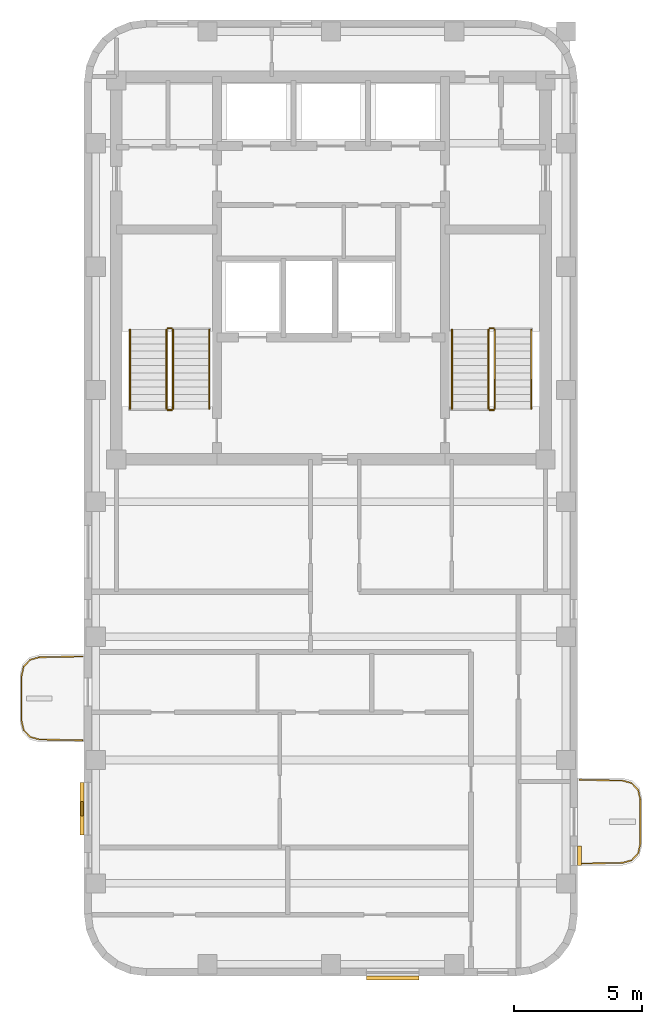
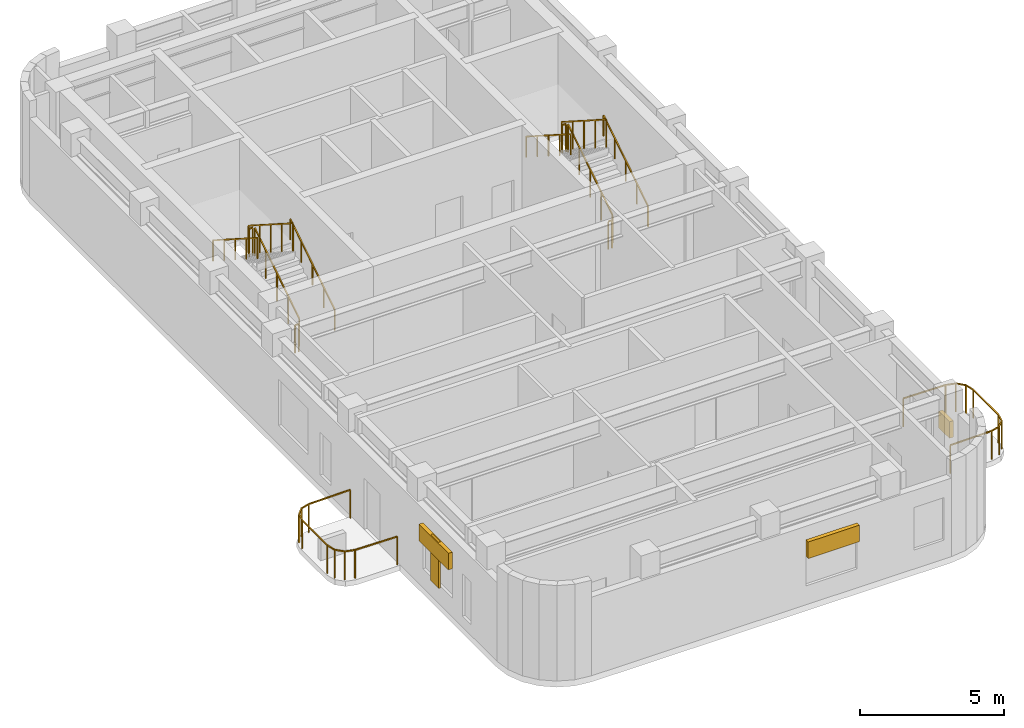
# One storey, part 5 of 5: 14 railings, 4 shading devices.
"""IFC4 building model written with IfcOpenShell, lengths in metres."""

import ifcopenshell
import ifcopenshell.guid

model = None  # the IFC model being written
_history = None  # IfcOwnerHistory: only IFC2X3 demands one
_inside = {}  # id of a spatial element -> (the spatial element, [elements in it])
_under = {}  # id of a project, library or spatial element -> (it, [spatial elements below it])
_declared = {}  # id of a project -> (the project, [libraries it declares])
_typed = {}  # id of a type object -> (the type object, [elements of that type])
_made_of = {}  # id of a material, layer set ... -> (it, [elements and type objects made of it])


def new_model(schema):
    """Start an empty IFC model of exactly this schema.

    Asked for "IFC4X3", IfcOpenShell would pick the latest addendum, in which some entities
    have other attributes; the version numbers below select the first issue.
    IFC2X3 requires an IfcOwnerHistory on every rooted entity: one is made here for all.
    """
    global model, _history
    if schema == "IFC4X3":
        model = ifcopenshell.file(schema_version=(4, 3, 0, 0))
    else:
        model = ifcopenshell.file(schema=schema)
    _inside.clear()
    _under.clear()
    _declared.clear()
    _typed.clear()
    _made_of.clear()
    _history = None
    if model.schema == "IFC2X3":
        org = make("IfcOrganization", Name="unknown")
        user = make(
            "IfcPersonAndOrganization",
            ThePerson=make("IfcPerson", FamilyName="unknown"),
            TheOrganization=org,
        )
        app = make(
            "IfcApplication",
            ApplicationDeveloper=org,
            Version="unknown",
            ApplicationFullName="unknown",
            ApplicationIdentifier="unknown",
        )
        _history = make(
            "IfcOwnerHistory",
            OwningUser=user,
            OwningApplication=app,
            ChangeAction="ADDED",
            CreationDate=0,
        )
    return model


def make(cls, **values):
    """One entity of the class cls with the attributes given. An attribute that is None is left unset."""
    return model.create_entity(
        cls, **{name: value for name, value in values.items() if value is not None}
    )


def rooted(cls, **values):
    """An entity with a GlobalId (a new one), such as an element, a storey or a relation."""
    return make(cls, GlobalId=ifcopenshell.guid.new(), OwnerHistory=_history, **values)


def si_unit(unit_type, name, prefix=None):
    """IfcSIUnit, for example si_unit("LENGTHUNIT", "METRE", prefix="MILLI")."""
    return make("IfcSIUnit", UnitType=unit_type, Prefix=prefix, Name=name)


def assignment(units):
    """IfcUnitAssignment: the units of a project."""
    return None if units is None else make("IfcUnitAssignment", Units=units)


def point(xyz):
    """IfcCartesianPoint."""
    return None if xyz is None else make("IfcCartesianPoint", Coordinates=xyz)


def direction(xyz):
    """IfcDirection."""
    return None if xyz is None else make("IfcDirection", DirectionRatios=xyz)


def frame(location, z_axis=None, x_axis=None):
    """IfcAxis2Placement3D, a coordinate frame: its origin and axes. An axis left out is left unset."""
    return make(
        "IfcAxis2Placement3D",
        Location=point(location),
        Axis=direction(z_axis),
        RefDirection=direction(x_axis),
    )


def frame_2d(location, x_axis=None):
    """IfcAxis2Placement2D, a coordinate frame in the plane: its origin and x axis."""
    return make(
        "IfcAxis2Placement2D", Location=point(location), RefDirection=direction(x_axis)
    )


def origin():
    """The frame at (0, 0, 0) with its axes left unset."""
    return frame((0.0, 0.0, 0.0))


def origin_2d():
    """The frame at (0, 0) in the plane with its x axis left unset."""
    return frame_2d((0.0, 0.0))


def place(relative_to, where):
    """IfcLocalPlacement: puts the frame where relative to a parent placement (None: the world)."""
    return make(
        "IfcLocalPlacement", PlacementRelTo=relative_to, RelativePlacement=where
    )


def context(
    kind, dimensions, precision=None, world=None, true_north=None, identifier=None
):
    """IfcGeometricRepresentationContext, for example the 3D "Model" context."""
    return make(
        "IfcGeometricRepresentationContext",
        ContextIdentifier=identifier,
        ContextType=kind,
        CoordinateSpaceDimension=dimensions,
        Precision=precision,
        WorldCoordinateSystem=world,
        TrueNorth=true_north,
    )


def subcontext(parent, identifier, kind, view, scale=None):
    """IfcGeometricRepresentationSubContext, for example "Body" below "Model"."""
    return make(
        "IfcGeometricRepresentationSubContext",
        ContextIdentifier=identifier,
        ContextType=kind,
        ParentContext=parent,
        TargetScale=scale,
        TargetView=view,
    )


def project(units=None, contexts=None):
    """IfcProject with its units and contexts."""
    return rooted(
        "IfcProject",
        Name="project",
        RepresentationContexts=contexts,
        UnitsInContext=assignment(units),
    )


def spatial(cls, under=None, at=None, **own):
    """A site, building, storey or space (cls), placed at a placement, below another one or the project."""
    s = rooted(cls, ObjectPlacement=at, **own)
    if under is not None:
        _under.setdefault(under.id(), (under, []))[1].append(s)
    return s


def profile(cls, at=None, kind="AREA", **sizes):
    """A parametric profile (cls). Its sizes go by their IFC names, for example OverallWidth=200.0."""
    return make(cls, ProfileType=kind, Position=at, **sizes)


def rectangle(**sizes):
    """IfcRectangleProfileDef."""
    return profile("IfcRectangleProfileDef", **sizes)


def extrude(swept, where, along, depth):
    """IfcExtrudedAreaSolid: the profile swept, set in the frame where, extruded along a direction by depth."""
    return make(
        "IfcExtrudedAreaSolid",
        SweptArea=swept,
        Position=where,
        ExtrudedDirection=direction(along),
        Depth=depth,
    )


def shape(context_of_items, identifier, shape_type, items):
    """IfcShapeRepresentation: the items that make up one representation, for example the "Body"."""
    return make(
        "IfcShapeRepresentation",
        ContextOfItems=context_of_items,
        RepresentationIdentifier=identifier,
        RepresentationType=shape_type,
        Items=items,
    )


def material(Name=None, Category=None):
    """IfcMaterial."""
    return make("IfcMaterial", Name=Name, Category=Category)


def made_of(thing, what):
    """Note that an element or type object is made of a material, layer set ...; save() writes the relation."""
    if what is not None:
        _made_of.setdefault(what.id(), (what, []))[1].append(thing)
    return thing


def type_object(cls, material=None, **own):
    """A type object (cls), such as IfcWallType, which elements share."""
    return made_of(rooted(cls, **own), material)


def element(
    cls,
    number,
    at=None,
    inside=None,
    cuts=None,
    type_object=None,
    material=None,
    context=None,
    identifier="Body",
    shape_type=None,
    held_by="IfcProductDefinitionShape",
    body=None,
    shapes=None,
    **own,
):
    """One element of the class cls, such as IfcWall. Its Tag is "e" and its number.

    at: its placement. inside: the storey or other place that contains it. cuts: it is an
    opening in that element (IfcRelVoidsElement). A single representation is given by context,
    identifier, shape_type and body (its items); several are given by shapes. held_by: the class
    of the entity that holds the representations. save() writes the other relations.
    """
    e = rooted(cls, Tag="e%d" % number, ObjectPlacement=at, **own)
    if body is not None:
        shapes = [shape(context, identifier, shape_type, body)]
    if shapes is not None:
        e.Representation = make(held_by, Representations=shapes)
    if inside is not None:
        _inside.setdefault(inside.id(), (inside, []))[1].append(e)
    if cuts is not None:
        rooted(
            "IfcRelVoidsElement", RelatingBuildingElement=cuts, RelatedOpeningElement=e
        )
    if type_object is not None:
        _typed.setdefault(type_object.id(), (type_object, []))[1].append(e)
    return made_of(e, material)


def aggregate(whole, parts):
    """IfcRelAggregates: a whole, such as a stair, and the parts it consists of."""
    return rooted("IfcRelAggregates", RelatingObject=whole, RelatedObjects=parts)


def save(model, path):
    """Write the relations noted so far, then the file.

    IfcRelAggregates (storeys below a building ...), IfcRelContainedInSpatialStructure (elements
    in a storey), IfcRelDefinesByType, IfcRelAssociatesMaterial and IfcRelDeclares: one each for
    every whole, place, type object, material and project.
    """
    for whole, parts in _under.values():
        aggregate(whole, parts)
    for where, things in _inside.values():
        rooted(
            "IfcRelContainedInSpatialStructure",
            RelatedElements=things,
            RelatingStructure=where,
        )
    for kind, things in _typed.values():
        rooted("IfcRelDefinesByType", RelatedObjects=things, RelatingType=kind)
    for what, things in _made_of.values():
        rooted("IfcRelAssociatesMaterial", RelatedObjects=things, RelatingMaterial=what)
    for by, libraries in _declared.values():
        rooted("IfcRelDeclares", RelatingContext=by, RelatedDefinitions=libraries)
    model.write(path)


model = new_model("IFC4")

# Units and contexts
model_context = context("Model", 3, precision=1e-05, world=origin(), true_north=direction((0.0, 1.0)))
body_context = subcontext(model_context, "Body", "Model", "MODEL_VIEW")
ifc_project = project(units=[si_unit("LENGTHUNIT", "METRE"), si_unit("AREAUNIT", "SQUARE_METRE"), si_unit("VOLUMEUNIT", "CUBIC_METRE"), si_unit("PLANEANGLEUNIT", "RADIAN"), si_unit("MASSUNIT", "GRAM", prefix="KILO")], contexts=[model_context])

# Site, building, storey
site_placement = place(None, origin())
site = spatial("IfcSite", under=ifc_project, at=site_placement, CompositionType="ELEMENT")
building_placement = place(site_placement, origin())
building = spatial("IfcBuilding", under=site, at=building_placement, Name="Orvandelia Arch Residences", CompositionType="ELEMENT")
storey_placement = place(building_placement, frame((0.0, 0.0, 282.800048828125)))
storey = spatial("IfcBuildingStorey", under=building, at=storey_placement, Name="L73", CompositionType="ELEMENT", Elevation=282.800048828125)

# Railings
ifc_material_1 = material(Name="Marine-Grade Stainless Steel 316", Category="steel")
railing_type_1 = type_object("IfcRailingType", Name="GRD-BAL-1200", PredefinedType="BALUSTRADE", material=ifc_material_1)
railing_1_placement = place(storey_placement, frame((4.728271484375, 23.23046875, 0.0)))
element("IfcRailing", 1, at=railing_1_placement, inside=storey, type_object=railing_type_1, Name="Safety Balustrade Guard GRD-L73-BAL-L73-W1-1", PredefinedType="BALUSTRADE", context=body_context, shape_type="SweptSolid", body=[
    extrude(rectangle(XDim=0.048095703125, YDim=0.048095703125, at=origin_2d()), frame((0.0, 0.0, 1.19580078125), z_axis=(-0.999834751713, -0.018178813668, 0.0), x_axis=(0.018178813668, -0.999834751713, 0.0)), (0.0, 0.0, 1.0), 1.6787109375),
    extrude(rectangle(XDim=0.048095703125, YDim=0.048095703125, at=origin_2d()), frame((-1.678466796875, -0.030517578125, 1.19580078125), z_axis=(-0.96348920644, -0.267747173792, 0.0), x_axis=(0.267747173792, -0.96348920644, 0.0)), (0.0, 0.0, 1.0), 0.36572265625),
    extrude(rectangle(XDim=0.048095703125, YDim=0.048095703125, at=origin_2d()), frame((-2.03076171875, -0.12841796875, 1.19580078125), z_axis=(-0.688627404251, -0.725115368831, 0.0), x_axis=(0.725115368831, -0.688627404251, 0.0)), (0.0, 0.0, 1.0), 0.367919921875),
    extrude(rectangle(XDim=0.048095703125, YDim=0.048095703125, at=origin_2d()), frame((-2.2841796875, -0.395263671875, 1.19580078125), z_axis=(-0.220461657419, -0.975395641577, 0.0), x_axis=(0.975395641577, -0.220461657419, 0.0)), (0.0, 0.0, 1.0), 0.373291015625),
    extrude(rectangle(XDim=0.048095703125, YDim=0.048095703125, at=origin_2d()), frame((-2.366455078125, -0.75927734375, 1.19580078125), z_axis=(0.0, -1.0, 0.0), x_axis=(1.0, 0.0, 0.0)), (0.0, 0.0, 1.0), 1.742431640625),
    extrude(rectangle(XDim=0.048095703125, YDim=0.048095703125, at=origin_2d()), frame((-2.366455078125, -2.501708984375, 1.19580078125), z_axis=(0.220602419982, -0.975363815352, 0.0), x_axis=(0.975363815352, 0.220602419982, 0.0)), (0.0, 0.0, 1.0), 0.373046875),
    extrude(rectangle(XDim=0.048095703125, YDim=0.048095703125, at=origin_2d()), frame((-2.2841796875, -2.865478515625, 1.19580078125), z_axis=(0.688296224633, -0.725429739642, 0.0), x_axis=(0.725429739642, 0.688296224633, 0.0)), (0.0, 0.0, 1.0), 0.3681640625),
    extrude(rectangle(XDim=0.048095703125, YDim=0.048095703125, at=origin_2d()), frame((-2.03076171875, -3.132568359375, 1.19580078125), z_axis=(0.96348920644, -0.267747173792, 0.0), x_axis=(0.267747173792, 0.96348920644, 0.0)), (0.0, 0.0, 1.0), 0.36572265625),
    extrude(rectangle(XDim=0.048095703125, YDim=0.048095703125, at=origin_2d()), frame((-1.678466796875, -3.23046875, 1.19580078125), z_axis=(0.999834751713, -0.018178813668, 0.0), x_axis=(0.018178813668, 0.999834751713, 0.0)), (0.0, 0.0, 1.0), 1.6787109375),
    extrude(rectangle(XDim=0.0419921875, YDim=0.0419921875, at=origin_2d()), origin(), (0.0, 0.0, 1.0), 1.171875),
    extrude(rectangle(XDim=0.0419921875, YDim=0.0419921875, at=origin_2d()), frame((-1.678466796875, -0.030517578125, 0.0)), (0.0, 0.0, 1.0), 1.171875),
    extrude(rectangle(XDim=0.0419921875, YDim=0.0419921875, at=origin_2d()), frame((-2.03076171875, -0.12841796875, 0.0)), (0.0, 0.0, 1.0), 1.171875),
    extrude(rectangle(XDim=0.0419921875, YDim=0.0419921875, at=origin_2d()), frame((-2.2841796875, -0.395263671875, 0.0)), (0.0, 0.0, 1.0), 1.171875),
    extrude(rectangle(XDim=0.0419921875, YDim=0.0419921875, at=origin_2d()), frame((-2.366455078125, -0.75927734375, 0.0)), (0.0, 0.0, 1.0), 1.171875),
    extrude(rectangle(XDim=0.0419921875, YDim=0.0419921875, at=origin_2d()), frame((-2.366455078125, -2.501708984375, 0.0)), (0.0, 0.0, 1.0), 1.171875),
    extrude(rectangle(XDim=0.0419921875, YDim=0.0419921875, at=origin_2d()), frame((-2.2841796875, -2.865478515625, 0.0)), (0.0, 0.0, 1.0), 1.171875),
    extrude(rectangle(XDim=0.0419921875, YDim=0.0419921875, at=origin_2d()), frame((-2.03076171875, -3.132568359375, 0.0)), (0.0, 0.0, 1.0), 1.171875),
    extrude(rectangle(XDim=0.0419921875, YDim=0.0419921875, at=origin_2d()), frame((-1.678466796875, -3.23046875, 0.0)), (0.0, 0.0, 1.0), 1.171875),
    extrude(rectangle(XDim=0.0419921875, YDim=0.0419921875, at=origin_2d()), frame((0.0, -3.260986328125, 0.0)), (0.0, 0.0, 1.0), 1.171875),
])
railing_2_placement = place(storey_placement, frame((24.07177734375, 15.169677734375, 0.0)))
element("IfcRailing", 2, at=railing_2_placement, inside=storey, type_object=railing_type_1, Name="Safety Balustrade Guard GRD-L73-BAL-L73-W2-1", PredefinedType="BALUSTRADE", context=body_context, shape_type="SweptSolid", body=[
    extrude(rectangle(XDim=0.048095703125, YDim=0.048095703125, at=origin_2d()), frame((0.0, 0.0, 1.19580078125), z_axis=(0.999837384468, 0.018033430643, 0.0), x_axis=(-0.018033430643, 0.999837384468, 0.0)), (0.0, 0.0, 1.0), 1.6787109375),
    extrude(rectangle(XDim=0.048095703125, YDim=0.048095703125, at=origin_2d()), frame((1.678466796875, 0.0302734375, 1.19580078125), z_axis=(0.96348920644, 0.267747173792, 0.0), x_axis=(-0.267747173792, 0.96348920644, 0.0)), (0.0, 0.0, 1.0), 0.36572265625),
    extrude(rectangle(XDim=0.048095703125, YDim=0.048095703125, at=origin_2d()), frame((2.03076171875, 0.128173828125, 1.19580078125), z_axis=(0.687947031175, 0.725760898848, 0.0), x_axis=(-0.725760898848, 0.687947031175, 0.0)), (0.0, 0.0, 1.0), 0.367919921875),
    extrude(rectangle(XDim=0.048095703125, YDim=0.048095703125, at=origin_2d()), frame((2.283935546875, 0.395263671875, 1.19580078125), z_axis=(0.221225034864, 0.975222786828, 0.0), x_axis=(-0.975222786828, 0.221225034864, 0.0)), (0.0, 0.0, 1.0), 0.373046875),
    extrude(rectangle(XDim=0.048095703125, YDim=0.048095703125, at=origin_2d()), frame((2.366455078125, 0.759033203125, 1.19580078125), z_axis=(0.0, 1.0, 0.0), x_axis=(-1.0, 0.0, 0.0)), (0.0, 0.0, 1.0), 1.74267578125),
    extrude(rectangle(XDim=0.048095703125, YDim=0.048095703125, at=origin_2d()), frame((2.366455078125, 2.501708984375, 1.19580078125), z_axis=(-0.221225034864, 0.975222786828, 0.0), x_axis=(-0.975222786828, -0.221225034864, 0.0)), (0.0, 0.0, 1.0), 0.373046875),
    extrude(rectangle(XDim=0.048095703125, YDim=0.048095703125, at=origin_2d()), frame((2.283935546875, 2.865478515625, 1.19580078125), z_axis=(-0.688278345278, 0.725446703364, 0.0), x_axis=(-0.725446703364, -0.688278345278, 0.0)), (0.0, 0.0, 1.0), 0.367919921875),
    extrude(rectangle(XDim=0.048095703125, YDim=0.048095703125, at=origin_2d()), frame((2.03076171875, 3.13232421875, 1.19580078125), z_axis=(-0.96348920644, 0.267747173792, 0.0), x_axis=(-0.267747173792, -0.96348920644, 0.0)), (0.0, 0.0, 1.0), 0.36572265625),
    extrude(rectangle(XDim=0.048095703125, YDim=0.048095703125, at=origin_2d()), frame((1.678466796875, 3.230224609375, 1.19580078125), z_axis=(-0.999834751713, 0.018178813668, 0.0), x_axis=(-0.018178813668, -0.999834751713, 0.0)), (0.0, 0.0, 1.0), 1.6787109375),
    extrude(rectangle(XDim=0.0419921875, YDim=0.0419921875, at=origin_2d()), origin(), (0.0, 0.0, 1.0), 1.171875),
    extrude(rectangle(XDim=0.0419921875, YDim=0.0419921875, at=origin_2d()), frame((1.678466796875, 0.0302734375, 0.0)), (0.0, 0.0, 1.0), 1.171875),
    extrude(rectangle(XDim=0.0419921875, YDim=0.0419921875, at=origin_2d()), frame((2.03076171875, 0.128173828125, 0.0)), (0.0, 0.0, 1.0), 1.171875),
    extrude(rectangle(XDim=0.0419921875, YDim=0.0419921875, at=origin_2d()), frame((2.283935546875, 0.395263671875, 0.0)), (0.0, 0.0, 1.0), 1.171875),
    extrude(rectangle(XDim=0.0419921875, YDim=0.0419921875, at=origin_2d()), frame((2.366455078125, 0.759033203125, 0.0)), (0.0, 0.0, 1.0), 1.171875),
    extrude(rectangle(XDim=0.0419921875, YDim=0.0419921875, at=origin_2d()), frame((2.366455078125, 2.501708984375, 0.0)), (0.0, 0.0, 1.0), 1.171875),
    extrude(rectangle(XDim=0.0419921875, YDim=0.0419921875, at=origin_2d()), frame((2.283935546875, 2.865478515625, 0.0)), (0.0, 0.0, 1.0), 1.171875),
    extrude(rectangle(XDim=0.0419921875, YDim=0.0419921875, at=origin_2d()), frame((2.03076171875, 3.13232421875, 0.0)), (0.0, 0.0, 1.0), 1.171875),
    extrude(rectangle(XDim=0.0419921875, YDim=0.0419921875, at=origin_2d()), frame((1.678466796875, 3.230224609375, 0.0)), (0.0, 0.0, 1.0), 1.171875),
    extrude(rectangle(XDim=0.0419921875, YDim=0.0419921875, at=origin_2d()), frame((0.0, 3.2607421875, 0.0)), (0.0, 0.0, 1.0), 1.171875),
])
ifc_material_2 = material(Name="Brushed Stainless Steel 304", Category="steel")
railing_type_2 = type_object("IfcRailingType", Name="RL-STAIR-GD1120", PredefinedType="GUARDRAIL", material=ifc_material_2)
railing_3_placement = place(storey_placement, frame((8.25, 32.8701171875, 0.17919921875)))
element("IfcRailing", 3, at=railing_3_placement, inside=storey, type_object=railing_type_2, Name="L73 ST-1 stair guard 1", PredefinedType="GUARDRAIL", context=body_context, shape_type="SweptSolid", body=[
    extrude(rectangle(XDim=0.048095703125, YDim=0.048095703125, at=origin_2d()), frame((0.0, 0.0, 1.17578125), z_axis=(0.0, 0.842319903074, 0.538977903893), x_axis=(-1.0, 0.0, 0.0)), (0.0, 0.0, 1.0), 3.65625),
    extrude(rectangle(XDim=0.0419921875, YDim=0.0419921875, at=origin_2d()), origin(), (0.0, 0.0, 1.0), 1.15185546875),
    extrude(rectangle(XDim=0.0419921875, YDim=0.0419921875, at=origin_2d()), frame((0.0, 0.77001953125, 0.49267578125)), (0.0, 0.0, 1.0), 1.15185546875),
    extrude(rectangle(XDim=0.0419921875, YDim=0.0419921875, at=origin_2d()), frame((0.0, 1.5400390625, 0.9853515625)), (0.0, 0.0, 1.0), 1.15185546875),
    extrude(rectangle(XDim=0.0419921875, YDim=0.0419921875, at=origin_2d()), frame((0.0, 2.309814453125, 1.47802734375)), (0.0, 0.0, 1.0), 1.15185546875),
    extrude(rectangle(XDim=0.0419921875, YDim=0.0419921875, at=origin_2d()), frame((0.0, 3.079833984375, 1.970703125)), (0.0, 0.0, 1.0), 1.15185546875),
])
railing_4_placement = place(storey_placement, frame((8.199951171875, 36.0, 2.14990234375)))
element("IfcRailing", 4, at=railing_4_placement, inside=storey, type_object=railing_type_2, Name="L73 ST-1 stair guard 2", PredefinedType="GUARDRAIL", context=body_context, shape_type="SweptSolid", body=[
    extrude(rectangle(XDim=0.048095703125, YDim=0.048095703125, at=origin_2d()), frame((0.0, 0.0, 1.17578125), z_axis=(-1.0, 0.0, 0.0), x_axis=(0.0, -1.0, 0.0)), (0.0, 0.0, 1.0), 0.14990234375),
    extrude(rectangle(XDim=0.0419921875, YDim=0.0419921875, at=origin_2d()), origin(), (0.0, 0.0, 1.0), 1.15185546875),
    extrude(rectangle(XDim=0.0419921875, YDim=0.0419921875, at=origin_2d()), frame((-0.14990234375, 0.0, 0.0)), (0.0, 0.0, 1.0), 1.15185546875),
])
railing_5_placement = place(storey_placement, frame((8.0, 35.949951171875, 2.3291015625)))
element("IfcRailing", 5, at=railing_5_placement, inside=storey, type_object=railing_type_2, Name="L73 ST-1 stair guard 3", PredefinedType="GUARDRAIL", context=body_context, shape_type="SweptSolid", body=[
    extrude(rectangle(XDim=0.048095703125, YDim=0.048095703125, at=origin_2d()), frame((0.0, 0.0, 1.17578125), z_axis=(0.0, -0.842289589211, 0.539025275759), x_axis=(1.0, 0.0, 0.0)), (0.0, 0.0, 1.0), 3.656494140625),
    extrude(rectangle(XDim=0.0419921875, YDim=0.0419921875, at=origin_2d()), origin(), (0.0, 0.0, 1.0), 1.15185546875),
    extrude(rectangle(XDim=0.0419921875, YDim=0.0419921875, at=origin_2d()), frame((0.0, -0.77001953125, 0.49267578125)), (0.0, 0.0, 1.0), 1.15185546875),
    extrude(rectangle(XDim=0.0419921875, YDim=0.0419921875, at=origin_2d()), frame((0.0, -1.5400390625, 0.9853515625)), (0.0, 0.0, 1.0), 1.15185546875),
    extrude(rectangle(XDim=0.0419921875, YDim=0.0419921875, at=origin_2d()), frame((0.0, -2.309814453125, 1.478271484375)), (0.0, 0.0, 1.0), 1.15185546875),
    extrude(rectangle(XDim=0.0419921875, YDim=0.0419921875, at=origin_2d()), frame((0.0, -3.079833984375, 1.970947265625)), (0.0, 0.0, 1.0), 1.15185546875),
])
railing_6_placement = place(storey_placement, frame((8.199951171875, 32.820068359375, 0.0)))
element("IfcRailing", 6, at=railing_6_placement, inside=storey, type_object=railing_type_2, Name="L73 ST-1 stair guard 4", PredefinedType="GUARDRAIL", context=body_context, shape_type="SweptSolid", body=[
    extrude(rectangle(XDim=0.048095703125, YDim=0.048095703125, at=origin_2d()), frame((0.0, 0.0, 1.17578125), z_axis=(-1.0, 0.0, 0.0), x_axis=(0.0, -1.0, 0.0)), (0.0, 0.0, 1.0), 0.14990234375),
    extrude(rectangle(XDim=0.0419921875, YDim=0.0419921875, at=origin_2d()), origin(), (0.0, 0.0, 1.0), 1.15185546875),
    extrude(rectangle(XDim=0.0419921875, YDim=0.0419921875, at=origin_2d()), frame((-0.14990234375, 0.0, 0.0)), (0.0, 0.0, 1.0), 1.15185546875),
])
railing_7_placement = place(storey_placement, frame((20.780029296875, 32.8701171875, 0.17919921875)))
element("IfcRailing", 7, at=railing_7_placement, inside=storey, type_object=railing_type_2, Name="L73 ST-2 stair guard 1", PredefinedType="GUARDRAIL", context=body_context, shape_type="SweptSolid", body=[
    extrude(rectangle(XDim=0.048095703125, YDim=0.048095703125, at=origin_2d()), frame((0.0, 0.0, 1.17578125), z_axis=(0.0, 0.842319903074, 0.538977903893), x_axis=(-1.0, 0.0, 0.0)), (0.0, 0.0, 1.0), 3.65625),
    extrude(rectangle(XDim=0.0419921875, YDim=0.0419921875, at=origin_2d()), origin(), (0.0, 0.0, 1.0), 1.15185546875),
    extrude(rectangle(XDim=0.0419921875, YDim=0.0419921875, at=origin_2d()), frame((0.0, 0.77001953125, 0.49267578125)), (0.0, 0.0, 1.0), 1.15185546875),
    extrude(rectangle(XDim=0.0419921875, YDim=0.0419921875, at=origin_2d()), frame((0.0, 1.5400390625, 0.9853515625)), (0.0, 0.0, 1.0), 1.15185546875),
    extrude(rectangle(XDim=0.0419921875, YDim=0.0419921875, at=origin_2d()), frame((0.0, 2.309814453125, 1.47802734375)), (0.0, 0.0, 1.0), 1.15185546875),
    extrude(rectangle(XDim=0.0419921875, YDim=0.0419921875, at=origin_2d()), frame((0.0, 3.079833984375, 1.970703125)), (0.0, 0.0, 1.0), 1.15185546875),
])
railing_8_placement = place(storey_placement, frame((20.72998046875, 36.0, 2.14990234375)))
element("IfcRailing", 8, at=railing_8_placement, inside=storey, type_object=railing_type_2, Name="L73 ST-2 stair guard 2", PredefinedType="GUARDRAIL", context=body_context, shape_type="SweptSolid", body=[
    extrude(rectangle(XDim=0.048095703125, YDim=0.048095703125, at=origin_2d()), frame((0.0, 0.0, 1.17578125), z_axis=(-1.0, 0.0, 0.0), x_axis=(0.0, -1.0, 0.0)), (0.0, 0.0, 1.0), 0.14990234375),
    extrude(rectangle(XDim=0.0419921875, YDim=0.0419921875, at=origin_2d()), origin(), (0.0, 0.0, 1.0), 1.15185546875),
    extrude(rectangle(XDim=0.0419921875, YDim=0.0419921875, at=origin_2d()), frame((-0.14990234375, 0.0, 0.0)), (0.0, 0.0, 1.0), 1.15185546875),
])
railing_9_placement = place(storey_placement, frame((20.530029296875, 35.949951171875, 2.3291015625)))
element("IfcRailing", 9, at=railing_9_placement, inside=storey, type_object=railing_type_2, Name="L73 ST-2 stair guard 3", PredefinedType="GUARDRAIL", context=body_context, shape_type="SweptSolid", body=[
    extrude(rectangle(XDim=0.048095703125, YDim=0.048095703125, at=origin_2d()), frame((0.0, 0.0, 1.17578125), z_axis=(0.0, -0.842289589211, 0.539025275759), x_axis=(1.0, 0.0, 0.0)), (0.0, 0.0, 1.0), 3.656494140625),
    extrude(rectangle(XDim=0.0419921875, YDim=0.0419921875, at=origin_2d()), origin(), (0.0, 0.0, 1.0), 1.15185546875),
    extrude(rectangle(XDim=0.0419921875, YDim=0.0419921875, at=origin_2d()), frame((0.0, -0.77001953125, 0.49267578125)), (0.0, 0.0, 1.0), 1.15185546875),
    extrude(rectangle(XDim=0.0419921875, YDim=0.0419921875, at=origin_2d()), frame((0.0, -1.5400390625, 0.9853515625)), (0.0, 0.0, 1.0), 1.15185546875),
    extrude(rectangle(XDim=0.0419921875, YDim=0.0419921875, at=origin_2d()), frame((0.0, -2.309814453125, 1.478271484375)), (0.0, 0.0, 1.0), 1.15185546875),
    extrude(rectangle(XDim=0.0419921875, YDim=0.0419921875, at=origin_2d()), frame((0.0, -3.079833984375, 1.970947265625)), (0.0, 0.0, 1.0), 1.15185546875),
])
railing_10_placement = place(storey_placement, frame((20.72998046875, 32.820068359375, 0.0)))
element("IfcRailing", 10, at=railing_10_placement, inside=storey, type_object=railing_type_2, Name="L73 ST-2 stair guard 4", PredefinedType="GUARDRAIL", context=body_context, shape_type="SweptSolid", body=[
    extrude(rectangle(XDim=0.048095703125, YDim=0.048095703125, at=origin_2d()), frame((0.0, 0.0, 1.17578125), z_axis=(-1.0, 0.0, 0.0), x_axis=(0.0, -1.0, 0.0)), (0.0, 0.0, 1.0), 0.14990234375),
    extrude(rectangle(XDim=0.0419921875, YDim=0.0419921875, at=origin_2d()), origin(), (0.0, 0.0, 1.0), 1.15185546875),
    extrude(rectangle(XDim=0.0419921875, YDim=0.0419921875, at=origin_2d()), frame((-0.14990234375, 0.0, 0.0)), (0.0, 0.0, 1.0), 1.15185546875),
])
railing_type_3 = type_object("IfcRailingType", Name="RL-STAIR-HR920", PredefinedType="HANDRAIL", material=ifc_material_2)
railing_11_placement = place(storey_placement, frame((9.669921875, 32.8701171875, 0.3583984375)))
element("IfcRailing", 11, at=railing_11_placement, inside=storey, type_object=railing_type_3, Name="L73 ST-1 stair handrail 1", PredefinedType="HANDRAIL", context=body_context, shape_type="SweptSolid", body=[
    extrude(rectangle(XDim=0.048095703125, YDim=0.048095703125, at=origin_2d()), frame((0.0, 0.0, 0.8759765625), z_axis=(0.0, 0.842319903074, 0.538977903893), x_axis=(-1.0, 0.0, 0.0)), (0.0, 0.0, 1.0), 3.65625),
    extrude(rectangle(XDim=0.0419921875, YDim=0.0419921875, at=origin_2d()), origin(), (0.0, 0.0, 1.0), 0.851806640625),
    extrude(rectangle(XDim=0.0419921875, YDim=0.0419921875, at=origin_2d()), frame((0.0, 0.77001953125, 0.49267578125)), (0.0, 0.0, 1.0), 0.851806640625),
    extrude(rectangle(XDim=0.0419921875, YDim=0.0419921875, at=origin_2d()), frame((0.0, 1.5400390625, 0.9853515625)), (0.0, 0.0, 1.0), 0.851806640625),
    extrude(rectangle(XDim=0.0419921875, YDim=0.0419921875, at=origin_2d()), frame((0.0, 2.309814453125, 1.47802734375)), (0.0, 0.0, 1.0), 0.851806640625),
    extrude(rectangle(XDim=0.0419921875, YDim=0.0419921875, at=origin_2d()), frame((0.0, 3.079833984375, 1.970703125)), (0.0, 0.0, 1.0), 0.851806640625),
])
railing_12_placement = place(storey_placement, frame((6.580078125, 35.949951171875, 2.50830078125)))
element("IfcRailing", 12, at=railing_12_placement, inside=storey, type_object=railing_type_3, Name="L73 ST-1 stair handrail 2", PredefinedType="HANDRAIL", context=body_context, shape_type="SweptSolid", body=[
    extrude(rectangle(XDim=0.048095703125, YDim=0.048095703125, at=origin_2d()), frame((0.0, 0.0, 0.8759765625), z_axis=(0.0, -0.842319903074, 0.538977903893), x_axis=(1.0, 0.0, 0.0)), (0.0, 0.0, 1.0), 3.65625),
    extrude(rectangle(XDim=0.0419921875, YDim=0.0419921875, at=origin_2d()), origin(), (0.0, 0.0, 1.0), 0.851806640625),
    extrude(rectangle(XDim=0.0419921875, YDim=0.0419921875, at=origin_2d()), frame((0.0, -0.77001953125, 0.49267578125)), (0.0, 0.0, 1.0), 0.851806640625),
    extrude(rectangle(XDim=0.0419921875, YDim=0.0419921875, at=origin_2d()), frame((0.0, -1.5400390625, 0.9853515625)), (0.0, 0.0, 1.0), 0.851806640625),
    extrude(rectangle(XDim=0.0419921875, YDim=0.0419921875, at=origin_2d()), frame((0.0, -2.309814453125, 1.47802734375)), (0.0, 0.0, 1.0), 0.851806640625),
    extrude(rectangle(XDim=0.0419921875, YDim=0.0419921875, at=origin_2d()), frame((0.0, -3.079833984375, 1.970703125)), (0.0, 0.0, 1.0), 0.851806640625),
])
railing_13_placement = place(storey_placement, frame((22.199951171875, 32.8701171875, 0.3583984375)))
element("IfcRailing", 13, at=railing_13_placement, inside=storey, type_object=railing_type_3, Name="L73 ST-2 stair handrail 1", PredefinedType="HANDRAIL", context=body_context, shape_type="SweptSolid", body=[
    extrude(rectangle(XDim=0.048095703125, YDim=0.048095703125, at=origin_2d()), frame((0.0, 0.0, 0.8759765625), z_axis=(0.0, 0.842319903074, 0.538977903893), x_axis=(-1.0, 0.0, 0.0)), (0.0, 0.0, 1.0), 3.65625),
    extrude(rectangle(XDim=0.0419921875, YDim=0.0419921875, at=origin_2d()), origin(), (0.0, 0.0, 1.0), 0.851806640625),
    extrude(rectangle(XDim=0.0419921875, YDim=0.0419921875, at=origin_2d()), frame((0.0, 0.77001953125, 0.49267578125)), (0.0, 0.0, 1.0), 0.851806640625),
    extrude(rectangle(XDim=0.0419921875, YDim=0.0419921875, at=origin_2d()), frame((0.0, 1.5400390625, 0.9853515625)), (0.0, 0.0, 1.0), 0.851806640625),
    extrude(rectangle(XDim=0.0419921875, YDim=0.0419921875, at=origin_2d()), frame((0.0, 2.309814453125, 1.47802734375)), (0.0, 0.0, 1.0), 0.851806640625),
    extrude(rectangle(XDim=0.0419921875, YDim=0.0419921875, at=origin_2d()), frame((0.0, 3.079833984375, 1.970703125)), (0.0, 0.0, 1.0), 0.851806640625),
])
railing_14_placement = place(storey_placement, frame((19.110107421875, 35.949951171875, 2.50830078125)))
element("IfcRailing", 14, at=railing_14_placement, inside=storey, type_object=railing_type_3, Name="L73 ST-2 stair handrail 2", PredefinedType="HANDRAIL", context=body_context, shape_type="SweptSolid", body=[
    extrude(rectangle(XDim=0.048095703125, YDim=0.048095703125, at=origin_2d()), frame((0.0, 0.0, 0.8759765625), z_axis=(0.0, -0.842319903074, 0.538977903893), x_axis=(1.0, 0.0, 0.0)), (0.0, 0.0, 1.0), 3.65625),
    extrude(rectangle(XDim=0.0419921875, YDim=0.0419921875, at=origin_2d()), origin(), (0.0, 0.0, 1.0), 0.851806640625),
    extrude(rectangle(XDim=0.0419921875, YDim=0.0419921875, at=origin_2d()), frame((0.0, -0.77001953125, 0.49267578125)), (0.0, 0.0, 1.0), 0.851806640625),
    extrude(rectangle(XDim=0.0419921875, YDim=0.0419921875, at=origin_2d()), frame((0.0, -1.5400390625, 0.9853515625)), (0.0, 0.0, 1.0), 0.851806640625),
    extrude(rectangle(XDim=0.0419921875, YDim=0.0419921875, at=origin_2d()), frame((0.0, -2.309814453125, 1.47802734375)), (0.0, 0.0, 1.0), 0.851806640625),
    extrude(rectangle(XDim=0.0419921875, YDim=0.0419921875, at=origin_2d()), frame((0.0, -3.079833984375, 1.970703125)), (0.0, 0.0, 1.0), 0.851806640625),
])

# Shading devices
ifc_material_3 = material(Name="Anodised Champagne-Bronze Extruded Aluminium", Category="aluminium")
shading_device_type_1 = type_object("IfcShadingDeviceType", Name="SHD-JALOUSIE-SCREEN", PredefinedType="JALOUSIE", material=ifc_material_3)
shading_device_1_placement = place(storey_placement, frame((24.080078125, 15.472412109375, 1.5498046875), z_axis=(0.0, 0.0, 1.0), x_axis=(0.0, -1.0, 0.0)))
element("IfcShadingDevice", 15, at=shading_device_1_placement, inside=storey, type_object=shading_device_type_1, Name="Bronze Jalousie Sun-Shade L73-001", PredefinedType="JALOUSIE", context=body_context, shape_type="SweptSolid", body=[
    extrude(rectangle(XDim=0.75, YDim=0.159912109375, at=origin_2d()), origin(), (0.0, 0.0, 1.0), 0.699951171875),
])
for number, where, z_axis, x_axis, name in (
    (16, (16.800048828125, 10.719970703125, 2.0498046875), (0.0, 0.0, 1.0), (-1.0, 0.0, 0.0), "Bronze Jalousie Sun-Shade L73-002"),
    (17, (4.719970703125, 17.302490234375, 2.0498046875), (0.0, 0.0, 1.0), (0.0, 1.0, 0.0), "Bronze Jalousie Sun-Shade L73-003"),
):
    element("IfcShadingDevice", number, at=place(storey_placement, frame(where, z_axis=z_axis, x_axis=x_axis)), inside=storey, type_object=shading_device_type_1, Name=name, PredefinedType="JALOUSIE", context=body_context, shape_type="SweptSolid", body=[
        extrude(rectangle(XDim=2.050048828125, YDim=0.159912109375, at=origin_2d()), origin(), (0.0, 0.0, 1.0), 0.699951171875),
    ])
ifc_material_4 = material(Name="Marine-Grade Perforated Aluminium Storm Shutter", Category="aluminium")
shading_device_type_2 = type_object("IfcShadingDeviceType", Name="SHD-STORM-SHUTTER", PredefinedType="SHUTTER", material=ifc_material_4)
shading_device_2_placement = place(storey_placement, frame((4.719970703125, 17.302490234375, 0.7998046875), z_axis=(0.0, 0.0, 1.0), x_axis=(0.0, 1.0, 0.0)))
element("IfcShadingDevice", 18, at=shading_device_2_placement, inside=storey, type_object=shading_device_type_2, Name="Operable Typhoon Storm Shutter L73-003", PredefinedType="SHUTTER", context=body_context, shape_type="SweptSolid", body=[
    extrude(rectangle(XDim=0.550048828125, YDim=0.080078125, at=origin_2d()), origin(), (0.0, 0.0, 1.0), 1.949951171875),
])

save(model, "model.ifc")
